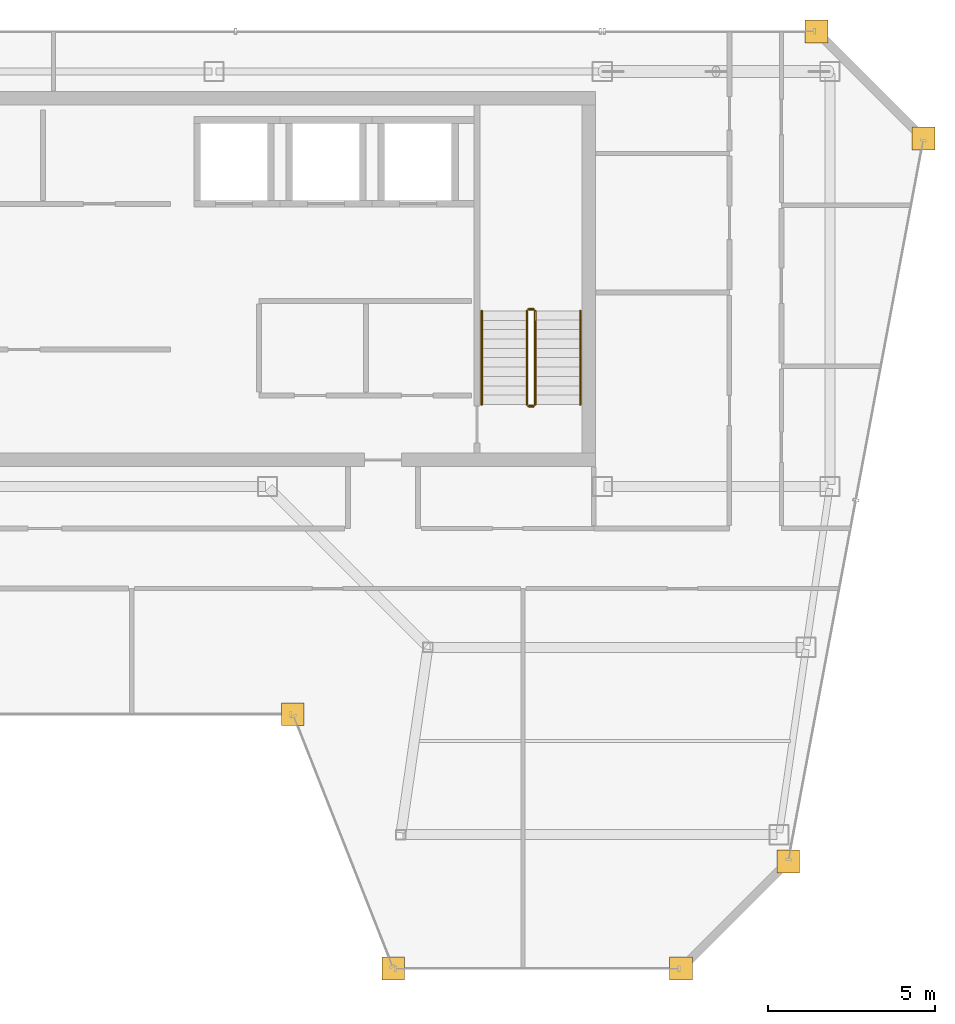
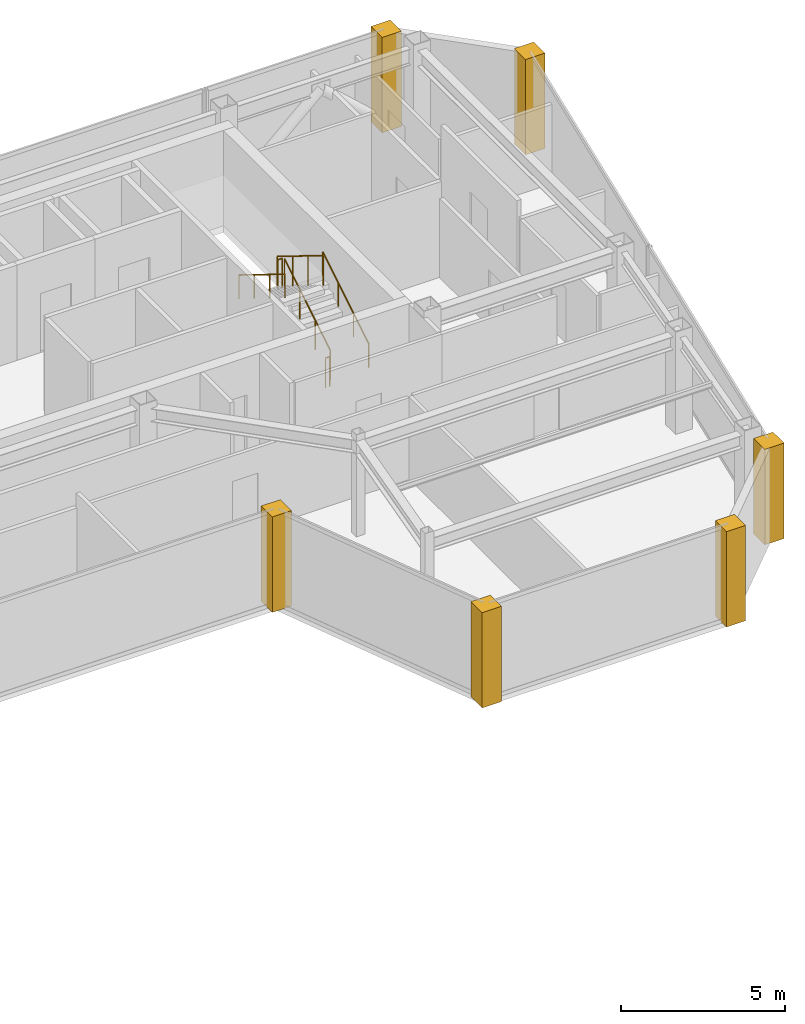
# One storey, part 22 of 22: 6 coverings, 6 railings.
"""IFC4 building model written with IfcOpenShell, lengths in metres."""

from ifc_helpers import new_model, si_unit, direction, frame, origin, origin_2d, place, context, subcontext, project, spatial, polyline, circle, outline, extrude, material, layer, layer_set, type_object, element, save


model = new_model("IFC4")

# Units and contexts
model_context = context("Model", 3, precision=1e-05, world=origin(), true_north=direction((0.0, 1.0)))
body_context = subcontext(model_context, "Body", "Model", "MODEL_VIEW")
ifc_project = project(units=[si_unit("LENGTHUNIT", "METRE"), si_unit("AREAUNIT", "SQUARE_METRE"), si_unit("VOLUMEUNIT", "CUBIC_METRE"), si_unit("PLANEANGLEUNIT", "RADIAN"), si_unit("MASSUNIT", "GRAM", prefix="KILO")], contexts=[model_context])

# Site, building, storey
site_placement = place(None, origin())
site = spatial("IfcSite", under=ifc_project, at=site_placement, CompositionType="ELEMENT")
building_placement = place(site_placement, origin())
building = spatial("IfcBuilding", under=site, at=building_placement, Name="Saevonmaru Cultural Tower", CompositionType="ELEMENT")
storey_placement = place(building_placement, frame((0.0, 0.0, 287.60009765625)))
storey = spatial("IfcBuildingStorey", under=building, at=storey_placement, Name="L68", CompositionType="ELEMENT", Elevation=287.60009765625)

# Coverings
ifc_material_1 = material(Name="Satin Bronze Anodised Aluminium", Category="aluminium")
ifc_layer = layer(ifc_material_1, 0.679931640625, Name="Satin Bronze Anodised Aluminium")
ifc_layer_set = layer_set([ifc_layer], Name="Satin Bronze Anodised Aluminium")
covering_type = type_object("IfcCoveringType", Name="CV-CORNER-CLAD", PredefinedType="CLADDING", material=ifc_layer_set)
covering_1_placement = place(storey_placement, origin())
element("IfcCovering", 1, at=covering_1_placement, inside=storey, type_object=covering_type, Name="L68 Tower Bronze Corner Cladding Pier 5", PredefinedType="CLADDING", context=body_context, shape_type="SweptSolid", body=[
    extrude(outline(polyline([(36.81591796875, 35.260009765625), (37.49609375, 35.260009765625), (37.49609375, 35.93994140625), (36.81591796875, 35.93994140625), (36.81591796875, 35.260009765625)])), origin(), (0.0, 0.0, 1.0), 3.5498046875),
])
covering_2_placement = place(storey_placement, origin())
element("IfcCovering", 2, at=covering_2_placement, inside=storey, type_object=covering_type, Name="L68 Tower Bronze Corner Cladding Pier 6", PredefinedType="CLADDING", context=body_context, shape_type="SweptSolid", body=[
    extrude(outline(polyline([(39.81591796875, 27.659912109375), (40.49609375, 27.659912109375), (40.49609375, 28.340087890625), (39.81591796875, 28.340087890625), (39.81591796875, 27.659912109375)])), origin(), (0.0, 0.0, 1.0), 3.5498046875),
])
covering_3_placement = place(storey_placement, origin())
element("IfcCovering", 3, at=covering_3_placement, inside=storey, type_object=covering_type, Name="L68 Tower Bronze Corner Cladding Pier 7", PredefinedType="CLADDING", context=body_context, shape_type="SweptSolid", body=[
    extrude(outline(polyline([(48.416015625, 27.659912109375), (49.095947265625, 27.659912109375), (49.095947265625, 28.340087890625), (48.416015625, 28.340087890625), (48.416015625, 27.659912109375)])), origin(), (0.0, 0.0, 1.0), 3.5498046875),
])
covering_4_placement = place(storey_placement, origin())
element("IfcCovering", 4, at=covering_4_placement, inside=storey, type_object=covering_type, Name="L68 Tower Bronze Corner Cladding Pier 8", PredefinedType="CLADDING", context=body_context, shape_type="SweptSolid", body=[
    extrude(outline(polyline([(51.615966796875, 30.860107421875), (52.2958984375, 30.860107421875), (52.2958984375, 31.5400390625), (51.615966796875, 31.5400390625), (51.615966796875, 30.860107421875)])), origin(), (0.0, 0.0, 1.0), 3.5498046875),
])
covering_5_placement = place(storey_placement, origin())
element("IfcCovering", 5, at=covering_5_placement, inside=storey, type_object=covering_type, Name="L68 Tower Bronze Corner Cladding Pier 9", PredefinedType="CLADDING", context=body_context, shape_type="SweptSolid", body=[
    extrude(outline(polyline([(55.659912109375, 52.4599609375), (56.340087890625, 52.4599609375), (56.340087890625, 53.139892578125), (55.659912109375, 53.139892578125), (55.659912109375, 52.4599609375)])), origin(), (0.0, 0.0, 1.0), 3.5498046875),
])
covering_6_placement = place(storey_placement, origin())
element("IfcCovering", 6, at=covering_6_placement, inside=storey, type_object=covering_type, Name="L68 Tower Bronze Corner Cladding Pier 10", PredefinedType="CLADDING", context=body_context, shape_type="SweptSolid", body=[
    extrude(outline(polyline([(52.4599609375, 55.659912109375), (53.139892578125, 55.659912109375), (53.139892578125, 56.340087890625), (52.4599609375, 56.340087890625), (52.4599609375, 55.659912109375)])), origin(), (0.0, 0.0, 1.0), 3.5498046875),
])

# Railings
ifc_material_2 = material(Name="Architectural Painted Steel", Category="steel")
railing_type_1 = type_object("IfcRailingType", Name="RL-STAIR-GUARD", PredefinedType="GUARDRAIL", material=ifc_material_2)
railing_1_placement = place(storey_placement, frame((44.39990234375, 44.85009765625, 0.172607421875)))
element("IfcRailing", 7, at=railing_1_placement, inside=storey, type_object=railing_type_1, Name="L68 ST-2 stair guard 1", PredefinedType="GUARDRAIL", context=body_context, shape_type="SweptSolid", body=[
    extrude(circle(Radius=0.02392578125, at=origin_2d()), frame((0.0, 0.0, 1.09619140625), z_axis=(0.0, 0.851069175582, 0.525053576669), x_axis=(-1.0, 0.0, 0.0)), (0.0, 0.0, 1.0), 3.289794921875),
    extrude(circle(Radius=0.02099609375, at=origin_2d()), origin(), (0.0, 0.0, 1.0), 1.072021484375),
    extrude(circle(Radius=0.02099609375, at=origin_2d()), frame((0.0, 0.933349609375, 0.57568359375)), (0.0, 0.0, 1.0), 1.072021484375),
    extrude(circle(Radius=0.02099609375, at=origin_2d()), frame((0.0, 1.866455078125, 1.151611328125)), (0.0, 0.0, 1.0), 1.072021484375),
    extrude(circle(Radius=0.02099609375, at=origin_2d()), frame((0.0, 2.7998046875, 1.727294921875)), (0.0, 0.0, 1.0), 1.072021484375),
])
railing_2_placement = place(storey_placement, frame((44.35009765625, 47.699951171875, 1.89990234375)))
element("IfcRailing", 8, at=railing_2_placement, inside=storey, type_object=railing_type_1, Name="L68 ST-2 stair guard 2", PredefinedType="GUARDRAIL", context=body_context, shape_type="SweptSolid", body=[
    extrude(circle(Radius=0.02392578125, at=origin_2d()), frame((0.0, 0.0, 1.09619140625), z_axis=(-1.0, 0.0, 0.0), x_axis=(0.0, -1.0, 0.0)), (0.0, 0.0, 1.0), 0.150146484375),
    extrude(circle(Radius=0.02099609375, at=origin_2d()), origin(), (0.0, 0.0, 1.0), 1.072021484375),
    extrude(circle(Radius=0.02099609375, at=origin_2d()), frame((-0.150146484375, 0.0, 0.0)), (0.0, 0.0, 1.0), 1.072021484375),
])
railing_3_placement = place(storey_placement, frame((44.14990234375, 47.64990234375, 2.072509765625)))
element("IfcRailing", 9, at=railing_3_placement, inside=storey, type_object=railing_type_1, Name="L68 ST-2 stair guard 3", PredefinedType="GUARDRAIL", context=body_context, shape_type="SweptSolid", body=[
    extrude(circle(Radius=0.02392578125, at=origin_2d()), frame((0.0, 0.0, 1.09619140625), z_axis=(0.0, -0.851069175582, 0.525053576669), x_axis=(1.0, 0.0, 0.0)), (0.0, 0.0, 1.0), 3.289794921875),
    extrude(circle(Radius=0.02099609375, at=origin_2d()), origin(), (0.0, 0.0, 1.0), 1.072021484375),
    extrude(circle(Radius=0.02099609375, at=origin_2d()), frame((0.0, -0.933349609375, 0.57568359375)), (0.0, 0.0, 1.0), 1.072021484375),
    extrude(circle(Radius=0.02099609375, at=origin_2d()), frame((0.0, -1.866455078125, 1.151611328125)), (0.0, 0.0, 1.0), 1.072021484375),
    extrude(circle(Radius=0.02099609375, at=origin_2d()), frame((0.0, -2.7998046875, 1.727294921875)), (0.0, 0.0, 1.0), 1.072021484375),
])
railing_4_placement = place(storey_placement, frame((44.35009765625, 44.800048828125, 0.0)))
element("IfcRailing", 10, at=railing_4_placement, inside=storey, type_object=railing_type_1, Name="L68 ST-2 stair guard 4", PredefinedType="GUARDRAIL", context=body_context, shape_type="SweptSolid", body=[
    extrude(circle(Radius=0.02392578125, at=origin_2d()), frame((0.0, 0.0, 1.09619140625), z_axis=(-1.0, 0.0, 0.0), x_axis=(0.0, -1.0, 0.0)), (0.0, 0.0, 1.0), 0.150146484375),
    extrude(circle(Radius=0.02099609375, at=origin_2d()), origin(), (0.0, 0.0, 1.0), 1.072021484375),
    extrude(circle(Radius=0.02099609375, at=origin_2d()), frame((-0.150146484375, 0.0, 0.0)), (0.0, 0.0, 1.0), 1.072021484375),
])
railing_type_2 = type_object("IfcRailingType", Name="RL-STAIR-HANDRAIL", PredefinedType="HANDRAIL", material=ifc_material_1)
railing_5_placement = place(storey_placement, frame((45.75, 44.85009765625, 0.172607421875)))
element("IfcRailing", 11, at=railing_5_placement, inside=storey, type_object=railing_type_2, Name="L68 ST-2 stair handrail 1", PredefinedType="HANDRAIL", context=body_context, shape_type="SweptSolid", body=[
    extrude(circle(Radius=0.02392578125, at=origin_2d()), frame((0.0, 0.0, 0.8759765625), z_axis=(0.0, 0.851069175582, 0.525053576669), x_axis=(-1.0, 0.0, 0.0)), (0.0, 0.0, 1.0), 3.289794921875),
    extrude(circle(Radius=0.02099609375, at=origin_2d()), origin(), (0.0, 0.0, 1.0), 0.851806640625),
    extrude(circle(Radius=0.02099609375, at=origin_2d()), frame((0.0, 0.933349609375, 0.57568359375)), (0.0, 0.0, 1.0), 0.851806640625),
    extrude(circle(Radius=0.02099609375, at=origin_2d()), frame((0.0, 1.866455078125, 1.151611328125)), (0.0, 0.0, 1.0), 0.851806640625),
    extrude(circle(Radius=0.02099609375, at=origin_2d()), frame((0.0, 2.7998046875, 1.727294921875)), (0.0, 0.0, 1.0), 0.851806640625),
])
railing_6_placement = place(storey_placement, frame((42.800048828125, 47.64990234375, 2.072509765625)))
element("IfcRailing", 12, at=railing_6_placement, inside=storey, type_object=railing_type_2, Name="L68 ST-2 stair handrail 2", PredefinedType="HANDRAIL", context=body_context, shape_type="SweptSolid", body=[
    extrude(circle(Radius=0.02392578125, at=origin_2d()), frame((0.0, 0.0, 0.8759765625), z_axis=(0.0, -0.851069175582, 0.525053576669), x_axis=(1.0, 0.0, 0.0)), (0.0, 0.0, 1.0), 3.289794921875),
    extrude(circle(Radius=0.02099609375, at=origin_2d()), origin(), (0.0, 0.0, 1.0), 0.851806640625),
    extrude(circle(Radius=0.02099609375, at=origin_2d()), frame((0.0, -0.933349609375, 0.57568359375)), (0.0, 0.0, 1.0), 0.851806640625),
    extrude(circle(Radius=0.02099609375, at=origin_2d()), frame((0.0, -1.866455078125, 1.151611328125)), (0.0, 0.0, 1.0), 0.851806640625),
    extrude(circle(Radius=0.02099609375, at=origin_2d()), frame((0.0, -2.7998046875, 1.727294921875)), (0.0, 0.0, 1.0), 0.851806640625),
])

save(model, "model.ifc")
